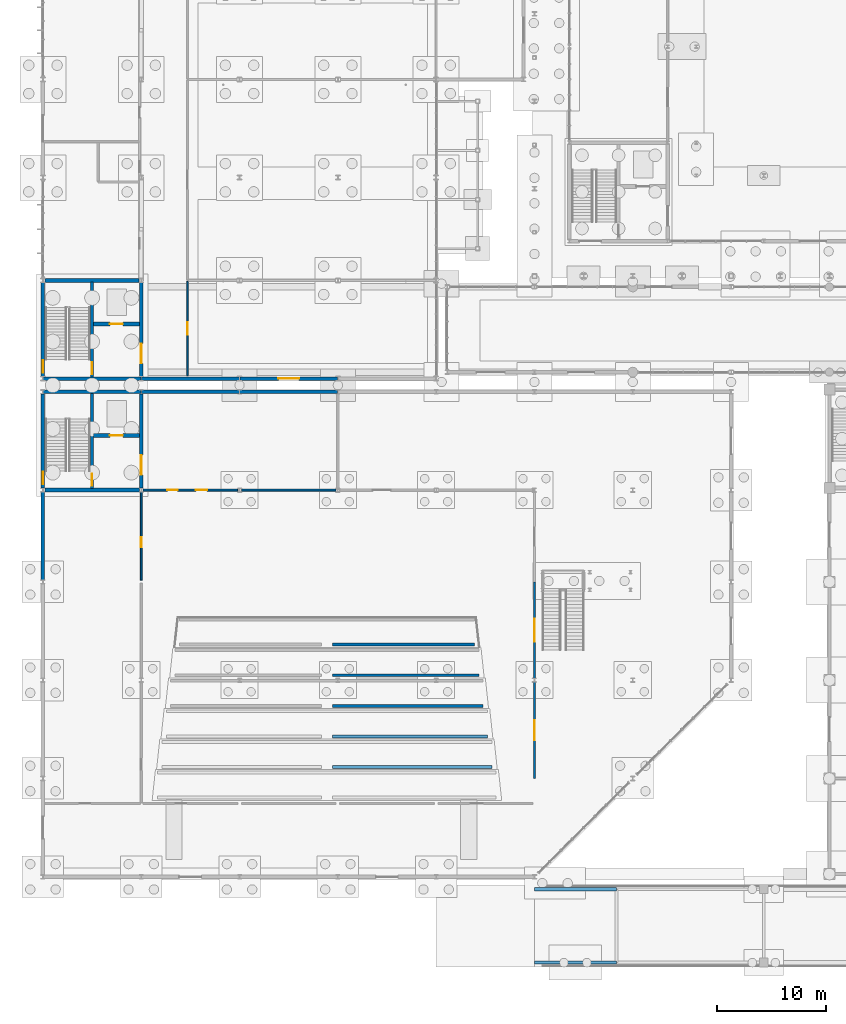
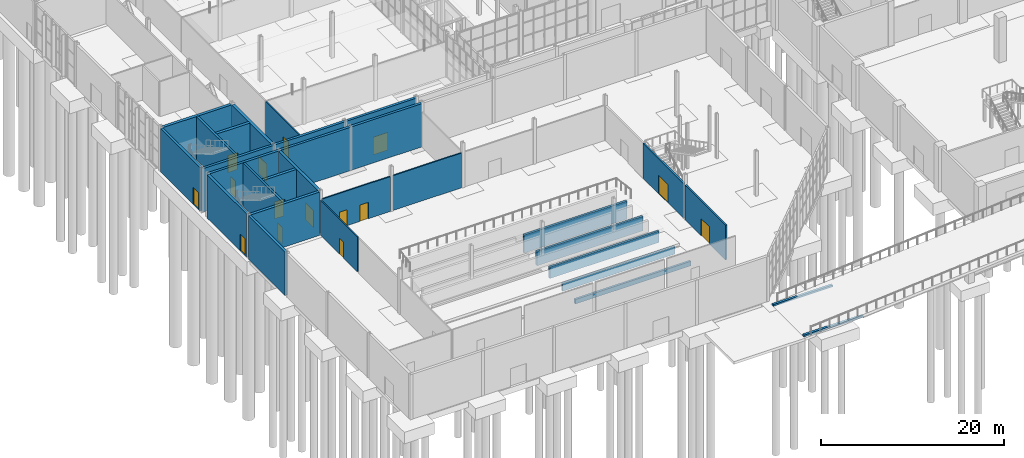
# One storey, part 98 of 131: 30 walls, 15 doors, 15 openings.
"""IFC4 building model written with IfcOpenShell, lengths in metres."""

from ifc_helpers import new_model, si_unit, direction, frame, frame_2d, origin, place, context, subcontext, project, spatial, rectangle, extrude, material, layer, layer_set, type_object, element, fill, save


model = new_model("IFC4")

# Units and contexts
model_context = context("Model", 3, precision=1e-05, world=origin(), true_north=direction((0.0, 1.0)))
body_context = subcontext(model_context, "Body", "Model", "MODEL_VIEW")
ifc_project = project(units=[si_unit("LENGTHUNIT", "METRE"), si_unit("AREAUNIT", "SQUARE_METRE"), si_unit("VOLUMEUNIT", "CUBIC_METRE"), si_unit("PLANEANGLEUNIT", "RADIAN"), si_unit("MASSUNIT", "GRAM", prefix="KILO")], contexts=[model_context])

# Site, building, storey
site_placement = place(None, origin())
site = spatial("IfcSite", under=ifc_project, at=site_placement, CompositionType="ELEMENT")
building_placement = place(site_placement, origin())
building = spatial("IfcBuilding", under=site, at=building_placement, Name="Cazmaro Siding Exhibition Halls", CompositionType="ELEMENT")
storey_placement = place(building_placement, origin())
storey = spatial("IfcBuildingStorey", under=building, at=storey_placement, Name="L00", CompositionType="ELEMENT", Elevation=0.0)

# Wall
ifc_material_1 = material(Name="Concrete f'c 45 MPa", Category="concrete")
ifc_layer_1 = layer(ifc_material_1, 0.320068359375)
ifc_layer_set_1 = layer_set([ifc_layer_1], Name="Concrete f'c 45 MPa")
wall_type_1 = type_object("IfcWallType", Name="EW-01", PredefinedType="STANDARD", material=ifc_layer_set_1)
wall_1_placement = place(storey_placement, frame((0.0, 36.179931640625, 0.0), z_axis=(0.0, 0.0, 1.0), x_axis=(0.0, 1.0, 0.0)))
element("IfcWall", 1, at=wall_1_placement, inside=storey, type_object=wall_type_1, Name="Congress West Street Wall EW-01 WL-E0214", PredefinedType="STANDARD", context=body_context, shape_type="SweptSolid", body=[
    extrude(rectangle(XDim=8.0400390625, YDim=0.320068359375, at=frame_2d((4.02001953125, 0.0))), origin(), (0.0, 0.0, 1.0), 5.780029296875),
])

# Wall, opening, door
wall_2_placement = place(storey_placement, frame((0.0, 44.580078125, 0.0), z_axis=(0.0, 0.0, 1.0), x_axis=(0.0, 1.0, 0.0)))
wall_2 = element("IfcWall", 2, at=wall_2_placement, inside=storey, type_object=wall_type_1, Name="Congress West Street Wall EW-01 WL-E0217", PredefinedType="STANDARD", context=body_context, shape_type="SweptSolid", body=[
    extrude(rectangle(XDim=8.639892578125, YDim=0.320068359375, at=frame_2d((4.31982421875, 0.0))), origin(), (0.0, 0.0, 1.0), 5.780029296875),
])
opening_1_placement = place(wall_2_placement, frame((0.360107421875, 0.0, 0.0)))
opening_1 = element("IfcOpeningElement", 3, at=opening_1_placement, cuts=wall_2, Name="Opening D-E060", PredefinedType="OPENING", context=body_context, shape_type="SweptSolid", body=[
    extrude(rectangle(XDim=1.1201171875, YDim=2.239990234375, at=frame_2d((0.56005859375, 1.1201171875))), frame((0.0, 0.169921875, 0.0), z_axis=(0.0, -1.0, 0.0), x_axis=(1.0, 0.0, 0.0)), (0.0, 0.0, 1.0), 0.340087890625),
])
ifc_material_2 = material(Name="Anodized Bronze Glazed Entrance Door", Category="aluminium")
door_type_1 = type_object("IfcDoorType", Name="ED-04", OperationType="NOTDEFINED", PredefinedType="DOOR", material=ifc_material_2)
door_1_placement = place(opening_1_placement, origin())
door_1 = element("IfcDoor", 4, at=door_1_placement, inside=storey, type_object=door_type_1, Name="Exterior door D-E060 (ED-04)", OperationType="SINGLE_SWING_LEFT", OverallHeight=2.239990234375, OverallWidth=1.1201171875, PredefinedType="DOOR", context=body_context, shape_type="SweptSolid", body=[
    extrude(rectangle(XDim=1.1201171875, YDim=2.239990234375, at=frame_2d((0.56005859375, 1.1201171875))), frame((0.0, 0.02490234375, 0.0), z_axis=(0.0, -1.0, 0.0), x_axis=(1.0, 0.0, 0.0)), (0.0, 0.0, 1.0), 0.050048828125),
])
fill(opening_1, door_1)

# Walls
for number, where, z_axis, x_axis, name in (
    (5, (0.014892578125, 53.39990234375, 0.0), (0.0, 0.0, 1.0), (1.0, 0.0, 0.0), "Congress North Seismic Wall EW-01 WL-E0220"),
    (6, (9.014892578125, 53.39990234375, 0.0), (0.0, 0.0, 1.0), (1.0, 0.0, 0.0), "Congress North Seismic Wall EW-01 WL-E0223"),
    (7, (18.014892578125, 53.39990234375, 0.0), (0.0, 0.0, 1.0), (1.0, 0.0, 0.0), "Congress North Seismic Wall EW-01 WL-E0226"),
):
    element("IfcWall", number, at=place(storey_placement, frame(where, z_axis=z_axis, x_axis=x_axis)), inside=storey, type_object=wall_type_1, Name=name, PredefinedType="STANDARD", context=body_context, shape_type="SweptSolid", body=[
        extrude(rectangle(XDim=8.97021484375, YDim=0.320068359375, at=frame_2d((4.485107421875, 0.0))), origin(), (0.0, 0.0, 1.0), 5.780029296875),
    ])

# Wall, opening, door
wall_3_placement = place(storey_placement, frame((0.0, 54.802001953125, 0.0), z_axis=(0.0, 0.0, 1.0), x_axis=(0.0, 1.0, 0.0)))
wall_3 = element("IfcWall", 8, at=wall_3_placement, inside=storey, type_object=wall_type_1, Name="West Wing Core Street Wall L00 EW-01 WL-E0241", PredefinedType="STANDARD", context=body_context, shape_type="SweptSolid", body=[
    extrude(rectangle(XDim=8.595947265625, YDim=0.320068359375, at=frame_2d((4.2978515625, 0.0))), origin(), (0.0, 0.0, 1.0), 5.780029296875),
])
opening_2_placement = place(wall_3_placement, frame((0.360107421875, 0.0, 0.0)))
opening_2 = element("IfcOpeningElement", 9, at=opening_2_placement, cuts=wall_3, Name="Opening D-E061", PredefinedType="OPENING", context=body_context, shape_type="SweptSolid", body=[
    extrude(rectangle(XDim=1.1201171875, YDim=2.239990234375, at=frame_2d((0.56005859375, 1.1201171875))), frame((0.0, 0.169921875, 0.0), z_axis=(0.0, -1.0, 0.0), x_axis=(1.0, 0.0, 0.0)), (0.0, 0.0, 1.0), 0.340087890625),
])
door_2_placement = place(opening_2_placement, origin())
door_2 = element("IfcDoor", 10, at=door_2_placement, inside=storey, type_object=door_type_1, Name="Exterior door D-E061 (ED-04)", OperationType="SINGLE_SWING_LEFT", OverallHeight=2.239990234375, OverallWidth=1.1201171875, PredefinedType="DOOR", context=body_context, shape_type="SweptSolid", body=[
    extrude(rectangle(XDim=1.1201171875, YDim=2.239990234375, at=frame_2d((0.56005859375, 1.1201171875))), frame((0.0, 0.02490234375, 0.0), z_axis=(0.0, -1.0, 0.0), x_axis=(1.0, 0.0, 0.0)), (0.0, 0.0, 1.0), 0.050048828125),
])
fill(opening_2, door_2)

# Walls
for number, where, z_axis, x_axis, name in (
    (11, (8.97802734375, 54.60009765625, 0.0), (0.0, 0.0, 1.0), (-1.0, 0.0, 0.0), "West Wing South Seismic Wall L00 EW-01 WL-E0251"),
    (12, (17.97802734375, 54.60009765625, 0.0), (0.0, 0.0, 1.0), (-1.0, 0.0, 0.0), "West Wing South Seismic Wall L00 EW-01 WL-E0252"),
):
    element("IfcWall", number, at=place(storey_placement, frame(where, z_axis=z_axis, x_axis=x_axis)), inside=storey, type_object=wall_type_1, Name=name, PredefinedType="STANDARD", context=body_context, shape_type="SweptSolid", body=[
        extrude(rectangle(XDim=8.9560546875, YDim=0.320068359375, at=frame_2d((4.47802734375, 0.0))), origin(), (0.0, 0.0, 1.0), 5.780029296875),
    ])

# Wall, opening, door
wall_4_placement = place(storey_placement, frame((26.97802734375, 54.60009765625, 0.0), z_axis=(0.0, 0.0, 1.0), x_axis=(-1.0, 0.0, 0.0)))
wall_4 = element("IfcWall", 13, at=wall_4_placement, inside=storey, type_object=wall_type_1, Name="West Wing South Seismic Wall L00 EW-01 WL-E0253", PredefinedType="STANDARD", context=body_context, shape_type="SweptSolid", body=[
    extrude(rectangle(XDim=8.9560546875, YDim=0.320068359375, at=frame_2d((4.47802734375, 0.0))), origin(), (0.0, 0.0, 1.0), 5.780029296875),
])
opening_3_placement = place(wall_4_placement, frame((3.528076171875, 0.0, 0.0)))
opening_3 = element("IfcOpeningElement", 14, at=opening_3_placement, cuts=wall_4, Name="Opening D-E067", PredefinedType="OPENING", context=body_context, shape_type="SweptSolid", body=[
    extrude(rectangle(XDim=1.89990234375, YDim=2.3798828125, at=frame_2d((0.949951171875, 1.18994140625))), frame((0.0, 0.169921875, 0.0), z_axis=(0.0, -1.0, 0.0), x_axis=(1.0, 0.0, 0.0)), (0.0, 0.0, 1.0), 0.340087890625),
])
ifc_material_3 = material(Name="Anodized Bronze Glazed Entrance Door", Category="aluminium")
door_type_2 = type_object("IfcDoorType", Name="ED-08", OperationType="DOUBLE_DOOR_SLIDING", PredefinedType="DOOR", material=ifc_material_3)
door_3_placement = place(opening_3_placement, origin())
door_3 = element("IfcDoor", 15, at=door_3_placement, inside=storey, type_object=door_type_2, Name="Exterior door D-E067 (ED-08)", OperationType="DOUBLE_DOOR_SLIDING", OverallHeight=2.3798828125, OverallWidth=1.89990234375, PredefinedType="DOOR", context=body_context, shape_type="SweptSolid", body=[
    extrude(rectangle(XDim=1.89990234375, YDim=2.3798828125, at=frame_2d((0.949951171875, 1.18994140625))), frame((0.0, 0.02490234375, 0.0), z_axis=(0.0, -1.0, 0.0), x_axis=(1.0, 0.0, 0.0)), (0.0, 0.0, 1.0), 0.050048828125),
])
fill(opening_3, door_3)

ifc_material_4 = material(Name="Fire-Rated Gypsum Board on Cold-Formed Steel Studs", Category="steel")
ifc_layer_2 = layer(ifc_material_4, 0.14501953125)
ifc_layer_set_2 = layer_set([ifc_layer_2], Name="Fire-Rated Gypsum Board on Cold-Formed Steel Studs")
wall_type_2 = type_object("IfcWallType", Name="PW-01", PredefinedType="PARTITIONING", material=ifc_layer_set_2)
wall_5_placement = place(storey_placement, frame((9.0, 36.14990234375, 0.0), z_axis=(0.0, 0.0, 1.0), x_axis=(0.0, 1.0, 0.0)))
wall_5 = element("IfcWall", 16, at=wall_5_placement, inside=storey, type_object=wall_type_2, Name="Auditorium Green Room Wall PW-01 WL-I0176", PredefinedType="PARTITIONING", context=body_context, shape_type="SweptSolid", body=[
    extrude(rectangle(XDim=8.070068359375, YDim=0.14501953125, at=frame_2d((4.03515625, 0.0))), origin(), (0.0, 0.0, 1.0), 4.64990234375),
])
opening_4_placement = place(wall_5_placement, frame((3.0, 0.0, 0.0)))
opening_4 = element("IfcOpeningElement", 17, at=opening_4_placement, cuts=wall_5, Name="Opening D-I088", PredefinedType="OPENING", context=body_context, shape_type="SweptSolid", body=[
    extrude(rectangle(XDim=0.919921875, YDim=2.10009765625, at=frame_2d((0.4599609375, 1.050048828125))), frame((0.0, 0.08251953125, 0.0), z_axis=(0.0, -1.0, 0.0), x_axis=(1.0, 0.0, 0.0)), (0.0, 0.0, 1.0), 0.1650390625),
])
ifc_material_5 = material(Name="Fire-Rated Painted Hollow Metal Door", Category="steel")
door_type_3 = type_object("IfcDoorType", Name="ID-08", OperationType="NOTDEFINED", PredefinedType="DOOR", material=ifc_material_5)
door_4_placement = place(opening_4_placement, origin())
door_4 = element("IfcDoor", 18, at=door_4_placement, inside=storey, type_object=door_type_3, Name="Interior door D-I088 (ID-08)", OperationType="SINGLE_SWING_RIGHT", OverallHeight=2.10009765625, OverallWidth=0.919921875, PredefinedType="DOOR", context=body_context, shape_type="SweptSolid", body=[
    extrude(rectangle(XDim=0.919921875, YDim=2.10009765625, at=frame_2d((0.4599609375, 1.050048828125))), frame((0.0, 0.02490234375, 0.0), z_axis=(0.0, -1.0, 0.0), x_axis=(1.0, 0.0, 0.0)), (0.0, 0.0, 1.0), 0.050048828125),
])
fill(opening_4, door_4)

wall_6_placement = place(storey_placement, frame((13.25, 54.85009765625, 0.0), z_axis=(0.0, 0.0, 1.0), x_axis=(0.0, 1.0, 0.0)))
wall_6 = element("IfcWall", 19, at=wall_6_placement, inside=storey, type_object=wall_type_2, Name="West Wing East Corridor Wall L00 PW-01 WL-I0187", PredefinedType="PARTITIONING", context=body_context, shape_type="SweptSolid", body=[
    extrude(rectangle(XDim=8.669921875, YDim=0.14501953125, at=frame_2d((4.3349609375, 0.0))), origin(), (0.0, 0.0, 1.0), 4.64990234375),
])
opening_5_placement = place(wall_6_placement, frame((3.760009765625, 0.0, 0.0)))
opening_5 = element("IfcOpeningElement", 20, at=opening_5_placement, cuts=wall_6, Name="Opening D-I095", PredefinedType="OPENING", context=body_context, shape_type="SweptSolid", body=[
    extrude(rectangle(XDim=1.14990234375, YDim=2.219970703125, at=frame_2d((0.574951171875, 1.10986328125))), frame((0.0, 0.08251953125, 0.0), z_axis=(0.0, -1.0, 0.0), x_axis=(1.0, 0.0, 0.0)), (0.0, 0.0, 1.0), 0.1650390625),
])
ifc_material_6 = material(Name="Fire-Rated Painted Hollow Metal Door", Category="steel")
door_type_4 = type_object("IfcDoorType", Name="ID-09", OperationType="NOTDEFINED", PredefinedType="DOOR", material=ifc_material_6)
door_5_placement = place(opening_5_placement, origin())
door_5 = element("IfcDoor", 21, at=door_5_placement, inside=storey, type_object=door_type_4, Name="Interior door D-I095 (ID-09)", OperationType="SINGLE_SWING_RIGHT", OverallHeight=2.219970703125, OverallWidth=1.14990234375, PredefinedType="DOOR", context=body_context, shape_type="SweptSolid", body=[
    extrude(rectangle(XDim=1.14990234375, YDim=2.219970703125, at=frame_2d((0.574951171875, 1.10986328125))), frame((0.0, 0.02490234375, 0.0), z_axis=(0.0, -1.0, 0.0), x_axis=(1.0, 0.0, 0.0)), (0.0, 0.0, 1.0), 0.050048828125),
])
fill(opening_5, door_5)

# Wall, openings, doors
ifc_material_7 = material(Name="Moisture-Resistant Gypsum Board on Acoustic Steel Studs", Category="steel")
ifc_layer_3 = layer(ifc_material_7, 0.1650390625)
ifc_layer_set_3 = layer_set([ifc_layer_3], Name="Moisture-Resistant Gypsum Board on Acoustic Steel Studs")
wall_type_3 = type_object("IfcWallType", Name="PW-02", PredefinedType="PARTITIONING", material=ifc_layer_set_3)
wall_7_placement = place(storey_placement, frame((9.178955078125, 44.39990234375, 0.0), z_axis=(0.0, 0.0, 1.0), x_axis=(1.0, 0.0, 0.0)))
wall_7 = element("IfcWall", 22, at=wall_7_placement, inside=storey, type_object=wall_type_3, Name="Auditorium North Restroom Wall PW-02 WL-I0179", PredefinedType="PARTITIONING", context=body_context, shape_type="SweptSolid", body=[
    extrude(rectangle(XDim=8.64208984375, YDim=0.1650390625, at=frame_2d((4.321044921875, 0.0))), origin(), (0.0, 0.0, 1.0), 4.64990234375),
])
opening_6_placement = place(wall_7_placement, frame((2.199951171875, 0.0, 0.0)))
opening_6 = element("IfcOpeningElement", 23, at=opening_6_placement, cuts=wall_7, Name="Opening D-I091", PredefinedType="OPENING", context=body_context, shape_type="SweptSolid", body=[
    extrude(rectangle(XDim=0.97998046875, YDim=2.14990234375, at=frame_2d((0.489990234375, 1.074951171875))), frame((0.0, 0.092529296875, 0.0), z_axis=(0.0, -1.0, 0.0), x_axis=(1.0, 0.0, 0.0)), (0.0, 0.0, 1.0), 0.18505859375),
])
opening_7_placement = place(wall_7_placement, frame((4.800048828125, 0.0, 0.0)))
opening_7 = element("IfcOpeningElement", 24, at=opening_7_placement, cuts=wall_7, Name="Opening D-I092", PredefinedType="OPENING", context=body_context, shape_type="SweptSolid", body=[
    extrude(rectangle(XDim=1.050048828125, YDim=2.179931640625, at=frame_2d((0.52490234375, 1.08984375))), frame((0.0, 0.092529296875, 0.0), z_axis=(0.0, -1.0, 0.0), x_axis=(1.0, 0.0, 0.0)), (0.0, 0.0, 1.0), 0.18505859375),
])
ifc_material_8 = material(Name="Fire-Rated Painted Hollow Metal Door", Category="steel")
door_type_5 = type_object("IfcDoorType", Name="ID-03", OperationType="NOTDEFINED", PredefinedType="DOOR", material=ifc_material_8)
door_6_placement = place(opening_6_placement, origin())
door_6 = element("IfcDoor", 25, at=door_6_placement, inside=storey, type_object=door_type_5, Name="Interior door D-I091 (ID-03)", OperationType="SINGLE_SWING_LEFT", OverallHeight=2.14990234375, OverallWidth=0.97998046875, PredefinedType="DOOR", context=body_context, shape_type="SweptSolid", body=[
    extrude(rectangle(XDim=0.97998046875, YDim=2.14990234375, at=frame_2d((0.489990234375, 1.074951171875))), frame((0.0, 0.02490234375, 0.0), z_axis=(0.0, -1.0, 0.0), x_axis=(1.0, 0.0, 0.0)), (0.0, 0.0, 1.0), 0.050048828125),
])
fill(opening_6, door_6)
ifc_material_9 = material(Name="Fire-Rated Painted Hollow Metal Door", Category="steel")
door_type_6 = type_object("IfcDoorType", Name="ID-06", OperationType="NOTDEFINED", PredefinedType="DOOR", material=ifc_material_9)
door_7_placement = place(opening_7_placement, origin())
door_7 = element("IfcDoor", 26, at=door_7_placement, inside=storey, type_object=door_type_6, Name="Interior door D-I092 (ID-06)", OperationType="SINGLE_SWING_RIGHT", OverallHeight=2.179931640625, OverallWidth=1.050048828125, PredefinedType="DOOR", context=body_context, shape_type="SweptSolid", body=[
    extrude(rectangle(XDim=1.050048828125, YDim=2.179931640625, at=frame_2d((0.52490234375, 1.08984375))), frame((0.0, 0.02490234375, 0.0), z_axis=(0.0, -1.0, 0.0), x_axis=(1.0, 0.0, 0.0)), (0.0, 0.0, 1.0), 0.050048828125),
])
fill(opening_7, door_7)

# Wall
wall_8_placement = place(storey_placement, frame((18.178955078125, 44.39990234375, 0.0), z_axis=(0.0, 0.0, 1.0), x_axis=(1.0, 0.0, 0.0)))
element("IfcWall", 27, at=wall_8_placement, inside=storey, type_object=wall_type_3, Name="Auditorium North Restroom Wall PW-02 WL-I0181", PredefinedType="PARTITIONING", context=body_context, shape_type="SweptSolid", body=[
    extrude(rectangle(XDim=8.64208984375, YDim=0.1650390625, at=frame_2d((4.321044921875, 0.0))), origin(), (0.0, 0.0, 1.0), 4.64990234375),
])

# Wall, opening, door
ifc_material_10 = material(Name="Concrete Masonry Unit Acoustic Partition", Category="masonry")
ifc_layer_4 = layer(ifc_material_10, 0.205078125)
ifc_layer_set_4 = layer_set([ifc_layer_4], Name="Concrete Masonry Unit Acoustic Partition")
wall_type_4 = type_object("IfcWallType", Name="PW-04", PredefinedType="PARTITIONING", material=ifc_layer_set_4)
wall_9_placement = place(storey_placement, frame((45.0, 18.0, 0.0), z_axis=(0.0, 0.0, 1.0), x_axis=(0.0, 1.0, 0.0)))
wall_9 = element("IfcWall", 28, at=wall_9_placement, inside=storey, type_object=wall_type_4, Name="Auditorium East Acoustic Wall PW-04 WL-I0171", PredefinedType="PARTITIONING", context=body_context, shape_type="SweptSolid", body=[
    extrude(rectangle(XDim=8.826904296875, YDim=0.205078125, at=frame_2d((4.41357421875, 0.0))), origin(), (0.0, 0.0, 1.0), 4.64990234375),
])
opening_8_placement = place(wall_9_placement, frame((3.513916015625, 0.0, 0.0)))
opening_8 = element("IfcOpeningElement", 29, at=opening_8_placement, cuts=wall_9, Name="Opening D-I084", PredefinedType="OPENING", context=body_context, shape_type="SweptSolid", body=[
    extrude(rectangle(XDim=1.800048828125, YDim=2.300048828125, at=frame_2d((0.89990234375, 1.14990234375))), frame((0.0, 0.112548828125, 0.0), z_axis=(0.0, -1.0, 0.0), x_axis=(1.0, 0.0, 0.0)), (0.0, 0.0, 1.0), 0.22509765625),
])
ifc_material_11 = material(Name="Fire-Rated Painted Hollow Metal Door", Category="steel")
door_type_7 = type_object("IfcDoorType", Name="ID-02", OperationType="DOUBLE_DOOR_SINGLE_SWING", PredefinedType="DOOR", material=ifc_material_11)
door_8_placement = place(opening_8_placement, origin())
door_8 = element("IfcDoor", 30, at=door_8_placement, inside=storey, type_object=door_type_7, Name="Interior door D-I084 (ID-02)", OperationType="DOUBLE_DOOR_SINGLE_SWING", OverallHeight=2.300048828125, OverallWidth=1.800048828125, PredefinedType="DOOR", context=body_context, shape_type="SweptSolid", body=[
    extrude(rectangle(XDim=1.800048828125, YDim=2.300048828125, at=frame_2d((0.89990234375, 1.14990234375))), frame((0.0, 0.02490234375, 0.0), z_axis=(0.0, -1.0, 0.0), x_axis=(1.0, 0.0, 0.0)), (0.0, 0.0, 1.0), 0.050048828125),
])
fill(opening_8, door_8)

wall_10_placement = place(storey_placement, frame((45.0, 27.173095703125, 0.0), z_axis=(0.0, 0.0, 1.0), x_axis=(0.0, 1.0, 0.0)))
wall_10 = element("IfcWall", 31, at=wall_10_placement, inside=storey, type_object=wall_type_4, Name="Auditorium East Acoustic Wall PW-04 WL-I0172", PredefinedType="PARTITIONING", context=body_context, shape_type="SweptSolid", body=[
    extrude(rectangle(XDim=8.826904296875, YDim=0.205078125, at=frame_2d((4.41357421875, 0.0))), origin(), (0.0, 0.0, 1.0), 4.64990234375),
])
opening_9_placement = place(wall_10_placement, frame((3.364013671875, 0.0, 0.0)))
opening_9 = element("IfcOpeningElement", 32, at=opening_9_placement, cuts=wall_10, Name="Opening D-I085", PredefinedType="OPENING", context=body_context, shape_type="SweptSolid", body=[
    extrude(rectangle(XDim=2.10009765625, YDim=2.449951171875, at=frame_2d((1.050048828125, 1.22509765625))), frame((0.0, 0.112548828125, 0.0), z_axis=(0.0, -1.0, 0.0), x_axis=(1.0, 0.0, 0.0)), (0.0, 0.0, 1.0), 0.22509765625),
])
ifc_material_12 = material(Name="Fire-Rated Painted Hollow Metal Door", Category="steel")
door_type_8 = type_object("IfcDoorType", Name="ID-12", OperationType="DOUBLE_DOOR_SINGLE_SWING", PredefinedType="DOOR", material=ifc_material_12)
door_9_placement = place(opening_9_placement, origin())
door_9 = element("IfcDoor", 33, at=door_9_placement, inside=storey, type_object=door_type_8, Name="Interior door D-I085 (ID-12)", OperationType="DOUBLE_DOOR_SINGLE_SWING", OverallHeight=2.449951171875, OverallWidth=2.10009765625, PredefinedType="DOOR", context=body_context, shape_type="SweptSolid", body=[
    extrude(rectangle(XDim=2.10009765625, YDim=2.449951171875, at=frame_2d((1.050048828125, 1.22509765625))), frame((0.0, 0.02490234375, 0.0), z_axis=(0.0, -1.0, 0.0), x_axis=(1.0, 0.0, 0.0)), (0.0, 0.0, 1.0), 0.050048828125),
])
fill(opening_9, door_9)

# Walls
ifc_material_13 = material(Name="Concrete f'c 45 MPa", Category="concrete")
ifc_layer_5 = layer(ifc_material_13, 0.264892578125)
ifc_layer_set_5 = layer_set([ifc_layer_5], Name="Concrete f'c 45 MPa")
wall_type_5 = type_object("IfcWallType", Name="RW-01", PredefinedType="SHEAR", material=ifc_layer_set_5)
wall_11_placement = place(storey_placement, frame((26.5, 19.050048828125, 0.0), z_axis=(0.0, 0.0, 1.0), x_axis=(1.0, 0.0, 0.0)))
element("IfcWall", 34, at=wall_11_placement, inside=storey, type_object=wall_type_5, Name="Auditorium Tier Riser Wall RW-01 WL-RW005", PredefinedType="SHEAR", context=body_context, shape_type="SweptSolid", body=[
    extrude(rectangle(XDim=14.60009765625, YDim=0.264892578125, at=frame_2d((7.300048828125, 0.0))), origin(), (0.0, 0.0, 1.0), 0.610107421875),
])
wall_12_placement = place(storey_placement, frame((26.5, 21.85009765625, 0.0), z_axis=(0.0, 0.0, 1.0), x_axis=(1.0, 0.0, 0.0)))
element("IfcWall", 35, at=wall_12_placement, inside=storey, type_object=wall_type_5, Name="Auditorium Tier Riser Wall RW-01 WL-RW008", PredefinedType="SHEAR", context=body_context, shape_type="SweptSolid", body=[
    extrude(rectangle(XDim=14.199951171875, YDim=0.264892578125, at=frame_2d((7.10009765625, 0.0))), origin(), (0.0, 0.0, 1.0), 1.030029296875),
])
wall_13_placement = place(storey_placement, frame((26.5, 24.64990234375, 0.0), z_axis=(0.0, 0.0, 1.0), x_axis=(1.0, 0.0, 0.0)))
element("IfcWall", 36, at=wall_13_placement, inside=storey, type_object=wall_type_5, Name="Auditorium Tier Riser Wall RW-01 WL-RW011", PredefinedType="SHEAR", context=body_context, shape_type="SweptSolid", body=[
    extrude(rectangle(XDim=13.800048828125, YDim=0.264892578125, at=frame_2d((6.89990234375, 0.0))), origin(), (0.0, 0.0, 1.0), 1.510009765625),
])
wall_14_placement = place(storey_placement, frame((26.5, 27.449951171875, 0.0), z_axis=(0.0, 0.0, 1.0), x_axis=(1.0, 0.0, 0.0)))
element("IfcWall", 37, at=wall_14_placement, inside=storey, type_object=wall_type_5, Name="Auditorium Tier Riser Wall RW-01 WL-RW014", PredefinedType="SHEAR", context=body_context, shape_type="SweptSolid", body=[
    extrude(rectangle(XDim=13.39990234375, YDim=0.264892578125, at=frame_2d((6.699951171875, 0.0))), origin(), (0.0, 0.0, 1.0), 1.929931640625),
])
wall_15_placement = place(storey_placement, frame((26.5, 30.25, 0.0), z_axis=(0.0, 0.0, 1.0), x_axis=(1.0, 0.0, 0.0)))
element("IfcWall", 38, at=wall_15_placement, inside=storey, type_object=wall_type_5, Name="Auditorium Tier Riser Wall RW-01 WL-RW017", PredefinedType="SHEAR", context=body_context, shape_type="SweptSolid", body=[
    extrude(rectangle(XDim=13.0, YDim=0.264892578125, at=frame_2d((6.5, 0.0))), origin(), (0.0, 0.0, 1.0), 2.409912109375),
])
ifc_material_14 = material(Name="Concrete f'c 45 MPa", Category="concrete")
ifc_layer_6 = layer(ifc_material_14, 0.294921875)
ifc_layer_set_6 = layer_set([ifc_layer_6], Name="Concrete f'c 45 MPa")
wall_type_6 = type_object("IfcWallType", Name="RW-02", PredefinedType="SHEAR", material=ifc_layer_set_6)
for number, where, z_axis, x_axis, name in (
    (39, (52.5, 1.14990234375, 0.0), (0.0, 0.0, 1.0), (-1.0, 0.0, 0.0), "Truck Viaduct Grade Abutment Wall RW-02 WL-RW019"),
    (40, (52.5, 7.85009765625, 0.0), (0.0, 0.0, 1.0), (-1.0, 0.0, 0.0), "Truck Viaduct Grade Abutment Wall RW-02 WL-RW020"),
):
    element("IfcWall", number, at=place(storey_placement, frame(where, z_axis=z_axis, x_axis=x_axis)), inside=storey, type_object=wall_type_6, Name=name, PredefinedType="SHEAR", context=body_context, shape_type="SweptSolid", body=[
        extrude(rectangle(XDim=7.5, YDim=0.294921875, at=frame_2d((3.75, 0.0))), origin(), (0.0, 0.0, 1.0), 0.243896484375),
    ])

# Wall, opening, door
ifc_material_15 = material(Name="Concrete f'c 50 MPa", Category="concrete")
ifc_layer_7 = layer(ifc_material_15, 0.360107421875)
ifc_layer_set_7 = layer_set([ifc_layer_7], Name="Concrete f'c 50 MPa")
wall_type_7 = type_object("IfcWallType", Name="SW-01", PredefinedType="SHEAR", material=ifc_layer_set_7)
wall_16_placement = place(storey_placement, frame((9.0, 44.572998046875, 0.0), z_axis=(0.0, 0.0, 1.0), x_axis=(0.0, 1.0, 0.0)))
wall_16 = element("IfcWall", 41, at=wall_16_placement, inside=storey, type_object=wall_type_7, Name="Core C6 East Shear Wall SW-01 WL-I0064", PredefinedType="SHEAR", context=body_context, shape_type="SweptSolid", body=[
    extrude(rectangle(XDim=8.64599609375, YDim=0.360107421875, at=frame_2d((4.322998046875, 0.0))), origin(), (0.0, 0.0, 1.0), 5.780029296875),
])
opening_10_placement = place(wall_16_placement, frame((1.22705078125, 0.0, 0.0)))
opening_10 = element("IfcOpeningElement", 42, at=opening_10_placement, cuts=wall_16, Name="Opening D-I032", PredefinedType="OPENING", context=body_context, shape_type="SweptSolid", body=[
    extrude(rectangle(XDim=1.800048828125, YDim=2.300048828125, at=frame_2d((0.89990234375, 1.14990234375))), frame((0.0, 0.18994140625, 0.0), z_axis=(0.0, -1.0, 0.0), x_axis=(1.0, 0.0, 0.0)), (0.0, 0.0, 1.0), 0.380126953125),
])
door_10_placement = place(opening_10_placement, origin())
door_10 = element("IfcDoor", 43, at=door_10_placement, inside=storey, type_object=door_type_7, Name="Interior door D-I032 (ID-02)", OperationType="DOUBLE_DOOR_SINGLE_SWING", OverallHeight=2.300048828125, OverallWidth=1.800048828125, PredefinedType="DOOR", context=body_context, shape_type="SweptSolid", body=[
    extrude(rectangle(XDim=1.800048828125, YDim=2.300048828125, at=frame_2d((0.89990234375, 1.14990234375))), frame((0.0, 0.02490234375, 0.0), z_axis=(0.0, -1.0, 0.0), x_axis=(1.0, 0.0, 0.0)), (0.0, 0.0, 1.0), 0.050048828125),
])
fill(opening_10, door_10)

# Wall
wall_17_placement = place(storey_placement, frame((0.180908203125, 44.39990234375, 0.0), z_axis=(0.0, 0.0, 1.0), x_axis=(1.0, 0.0, 0.0)))
element("IfcWall", 44, at=wall_17_placement, inside=storey, type_object=wall_type_7, Name="Core C6 South Shear Wall SW-01 WL-I0065", PredefinedType="SHEAR", context=body_context, shape_type="SweptSolid", body=[
    extrude(rectangle(XDim=8.64013671875, YDim=0.360107421875, at=frame_2d((4.320068359375, 0.0))), origin(), (0.0, 0.0, 1.0), 5.780029296875),
])

# Wall, opening, door
wall_18_placement = place(storey_placement, frame((4.614990234375, 49.39990234375, 0.0), z_axis=(0.0, 0.0, 1.0), x_axis=(1.0, 0.0, 0.0)))
wall_18 = element("IfcWall", 45, at=wall_18_placement, inside=storey, type_object=wall_type_7, Name="Core C6 Lift Shaft Wall SW-01 WL-I0067", PredefinedType="SHEAR", context=body_context, shape_type="SweptSolid", body=[
    extrude(rectangle(XDim=4.219970703125, YDim=0.360107421875, at=frame_2d((2.10986328125, 0.0))), origin(), (0.0, 0.0, 1.0), 5.780029296875),
])
opening_11_placement = place(wall_18_placement, frame((1.510009765625, 0.0, 0.0)))
opening_11 = element("IfcOpeningElement", 46, at=opening_11_placement, cuts=wall_18, Name="Opening LD-016", PredefinedType="OPENING", context=body_context, shape_type="SweptSolid", body=[
    extrude(rectangle(XDim=1.199951171875, YDim=2.300048828125, at=frame_2d((0.60009765625, 1.14990234375))), frame((0.0, 0.18994140625, 0.0), z_axis=(0.0, -1.0, 0.0), x_axis=(1.0, 0.0, 0.0)), (0.0, 0.0, 1.0), 0.380126953125),
])
ifc_material_16 = material(Name="Stainless Steel Elevator Landing Door", Category="steel")
door_type_9 = type_object("IfcDoorType", Name="LD-01", OperationType="SLIDING_TO_LEFT", PredefinedType="DOOR", material=ifc_material_16)
door_11_placement = place(opening_11_placement, origin())
door_11 = element("IfcDoor", 47, at=door_11_placement, inside=storey, type_object=door_type_9, Name="Interior door LD-016 (LD-01)", OperationType="SLIDING_TO_LEFT", OverallHeight=2.300048828125, OverallWidth=1.199951171875, PredefinedType="DOOR", context=body_context, shape_type="SweptSolid", body=[
    extrude(rectangle(XDim=1.199951171875, YDim=2.300048828125, at=frame_2d((0.60009765625, 1.14990234375))), frame((0.0, 0.02490234375, 0.0), z_axis=(0.0, -1.0, 0.0), x_axis=(1.0, 0.0, 0.0)), (0.0, 0.0, 1.0), 0.050048828125),
])
fill(opening_11, door_11)

wall_19_placement = place(storey_placement, frame((9.0, 54.802978515625, 0.0), z_axis=(0.0, 0.0, 1.0), x_axis=(0.0, 1.0, 0.0)))
wall_19 = element("IfcWall", 48, at=wall_19_placement, inside=storey, type_object=wall_type_7, Name="Core C7 East Shear Wall SW-01 WL-I0076", PredefinedType="SHEAR", context=body_context, shape_type="SweptSolid", body=[
    extrude(rectangle(XDim=8.593994140625, YDim=0.360107421875, at=frame_2d((4.296875, 0.0))), origin(), (0.0, 0.0, 1.0), 5.780029296875),
])
opening_12_placement = place(wall_19_placement, frame((1.197021484375, 0.0, 0.0)))
opening_12 = element("IfcOpeningElement", 49, at=opening_12_placement, cuts=wall_19, Name="Opening D-I038", PredefinedType="OPENING", context=body_context, shape_type="SweptSolid", body=[
    extrude(rectangle(XDim=1.800048828125, YDim=2.300048828125, at=frame_2d((0.89990234375, 1.14990234375))), frame((0.0, 0.18994140625, 0.0), z_axis=(0.0, -1.0, 0.0), x_axis=(1.0, 0.0, 0.0)), (0.0, 0.0, 1.0), 0.380126953125),
])
door_12_placement = place(opening_12_placement, origin())
door_12 = element("IfcDoor", 50, at=door_12_placement, inside=storey, type_object=door_type_7, Name="Interior door D-I038 (ID-02)", OperationType="DOUBLE_DOOR_SINGLE_SWING", OverallHeight=2.300048828125, OverallWidth=1.800048828125, PredefinedType="DOOR", context=body_context, shape_type="SweptSolid", body=[
    extrude(rectangle(XDim=1.800048828125, YDim=2.300048828125, at=frame_2d((0.89990234375, 1.14990234375))), frame((0.0, 0.02490234375, 0.0), z_axis=(0.0, -1.0, 0.0), x_axis=(1.0, 0.0, 0.0)), (0.0, 0.0, 1.0), 0.050048828125),
])
fill(opening_12, door_12)

# Wall
wall_20_placement = place(storey_placement, frame((0.197998046875, 63.60009765625, 0.0), z_axis=(0.0, 0.0, 1.0), x_axis=(1.0, 0.0, 0.0)))
element("IfcWall", 51, at=wall_20_placement, inside=storey, type_object=wall_type_7, Name="Core C7 North Shear Wall SW-01 WL-I0077", PredefinedType="SHEAR", context=body_context, shape_type="SweptSolid", body=[
    extrude(rectangle(XDim=8.60400390625, YDim=0.360107421875, at=frame_2d((4.302001953125, 0.0))), origin(), (0.0, 0.0, 1.0), 5.780029296875),
])

# Wall, opening, door
wall_21_placement = place(storey_placement, frame((4.614990234375, 59.60009765625, 0.0), z_axis=(0.0, 0.0, 1.0), x_axis=(1.0, 0.0, 0.0)))
wall_21 = element("IfcWall", 52, at=wall_21_placement, inside=storey, type_object=wall_type_7, Name="Core C7 Lift Shaft Wall SW-01 WL-I0079", PredefinedType="SHEAR", context=body_context, shape_type="SweptSolid", body=[
    extrude(rectangle(XDim=4.219970703125, YDim=0.360107421875, at=frame_2d((2.10986328125, 0.0))), origin(), (0.0, 0.0, 1.0), 5.780029296875),
])
opening_13_placement = place(wall_21_placement, frame((1.510009765625, 0.0, 0.0)))
opening_13 = element("IfcOpeningElement", 53, at=opening_13_placement, cuts=wall_21, Name="Opening LD-019", PredefinedType="OPENING", context=body_context, shape_type="SweptSolid", body=[
    extrude(rectangle(XDim=1.199951171875, YDim=2.300048828125, at=frame_2d((0.60009765625, 1.14990234375))), frame((0.0, 0.18994140625, 0.0), z_axis=(0.0, -1.0, 0.0), x_axis=(1.0, 0.0, 0.0)), (0.0, 0.0, 1.0), 0.380126953125),
])
door_13_placement = place(opening_13_placement, origin())
door_13 = element("IfcDoor", 54, at=door_13_placement, inside=storey, type_object=door_type_9, Name="Interior door LD-019 (LD-01)", OperationType="SLIDING_TO_LEFT", OverallHeight=2.300048828125, OverallWidth=1.199951171875, PredefinedType="DOOR", context=body_context, shape_type="SweptSolid", body=[
    extrude(rectangle(XDim=1.199951171875, YDim=2.300048828125, at=frame_2d((0.60009765625, 1.14990234375))), frame((0.0, 0.02490234375, 0.0), z_axis=(0.0, -1.0, 0.0), x_axis=(1.0, 0.0, 0.0)), (0.0, 0.0, 1.0), 0.050048828125),
])
fill(opening_13, door_13)

ifc_material_17 = material(Name="Concrete f'c 50 MPa", Category="concrete")
ifc_layer_8 = layer(ifc_material_17, 0.25)
ifc_layer_set_8 = layer_set([ifc_layer_8], Name="Concrete f'c 50 MPa")
wall_type_8 = type_object("IfcWallType", Name="SW-02", PredefinedType="SHEAR", material=ifc_layer_set_8)
wall_22_placement = place(storey_placement, frame((4.5, 44.56494140625, 0.0), z_axis=(0.0, 0.0, 1.0), x_axis=(0.0, 1.0, 0.0)))
wall_22 = element("IfcWall", 55, at=wall_22_placement, inside=storey, type_object=wall_type_8, Name="Core C6 Stair-Lobby Divider SW-02 WL-I0066", PredefinedType="SHEAR", context=body_context, shape_type="SweptSolid", body=[
    extrude(rectangle(XDim=8.670166015625, YDim=0.25, at=frame_2d((4.3349609375, 0.0))), origin(), (0.0, 0.0, 1.0), 5.780029296875),
])
opening_14_placement = place(wall_22_placement, frame((0.25, 0.0, 0.0)))
opening_14 = element("IfcOpeningElement", 56, at=opening_14_placement, cuts=wall_22, Name="Opening D-I031", PredefinedType="OPENING", context=body_context, shape_type="SweptSolid", body=[
    extrude(rectangle(XDim=1.10009765625, YDim=2.199951171875, at=frame_2d((0.550048828125, 1.10009765625))), frame((0.0, 0.135009765625, 0.0), z_axis=(0.0, -1.0, 0.0), x_axis=(1.0, 0.0, 0.0)), (0.0, 0.0, 1.0), 0.27001953125),
])
ifc_material_18 = material(Name="Fire-Rated Painted Hollow Metal Door", Category="steel")
door_type_10 = type_object("IfcDoorType", Name="ID-01", OperationType="NOTDEFINED", PredefinedType="DOOR", material=ifc_material_18)
door_14_placement = place(opening_14_placement, origin())
door_14 = element("IfcDoor", 57, at=door_14_placement, inside=storey, type_object=door_type_10, Name="Interior door D-I031 (ID-01)", OperationType="SINGLE_SWING_RIGHT", OverallHeight=2.199951171875, OverallWidth=1.10009765625, PredefinedType="DOOR", context=body_context, shape_type="SweptSolid", body=[
    extrude(rectangle(XDim=1.10009765625, YDim=2.199951171875, at=frame_2d((0.550048828125, 1.10009765625))), frame((0.0, 0.02490234375, 0.0), z_axis=(0.0, -1.0, 0.0), x_axis=(1.0, 0.0, 0.0)), (0.0, 0.0, 1.0), 0.050048828125),
])
fill(opening_14, door_14)

wall_23_placement = place(storey_placement, frame((4.5, 54.764892578125, 0.0), z_axis=(0.0, 0.0, 1.0), x_axis=(0.0, 1.0, 0.0)))
wall_23 = element("IfcWall", 58, at=wall_23_placement, inside=storey, type_object=wall_type_8, Name="Core C7 Stair-Lobby Divider SW-02 WL-I0078", PredefinedType="SHEAR", context=body_context, shape_type="SweptSolid", body=[
    extrude(rectangle(XDim=8.670166015625, YDim=0.25, at=frame_2d((4.3349609375, 0.0))), origin(), (0.0, 0.0, 1.0), 5.780029296875),
])
opening_15_placement = place(wall_23_placement, frame((0.25, 0.0, 0.0)))
opening_15 = element("IfcOpeningElement", 59, at=opening_15_placement, cuts=wall_23, Name="Opening D-I037", PredefinedType="OPENING", context=body_context, shape_type="SweptSolid", body=[
    extrude(rectangle(XDim=1.10009765625, YDim=2.199951171875, at=frame_2d((0.550048828125, 1.10009765625))), frame((0.0, 0.135009765625, 0.0), z_axis=(0.0, -1.0, 0.0), x_axis=(1.0, 0.0, 0.0)), (0.0, 0.0, 1.0), 0.27001953125),
])
door_15_placement = place(opening_15_placement, origin())
door_15 = element("IfcDoor", 60, at=door_15_placement, inside=storey, type_object=door_type_10, Name="Interior door D-I037 (ID-01)", OperationType="SINGLE_SWING_RIGHT", OverallHeight=2.199951171875, OverallWidth=1.10009765625, PredefinedType="DOOR", context=body_context, shape_type="SweptSolid", body=[
    extrude(rectangle(XDim=1.10009765625, YDim=2.199951171875, at=frame_2d((0.550048828125, 1.10009765625))), frame((0.0, 0.02490234375, 0.0), z_axis=(0.0, -1.0, 0.0), x_axis=(1.0, 0.0, 0.0)), (0.0, 0.0, 1.0), 0.050048828125),
])
fill(opening_15, door_15)

save(model, "model.ifc")
